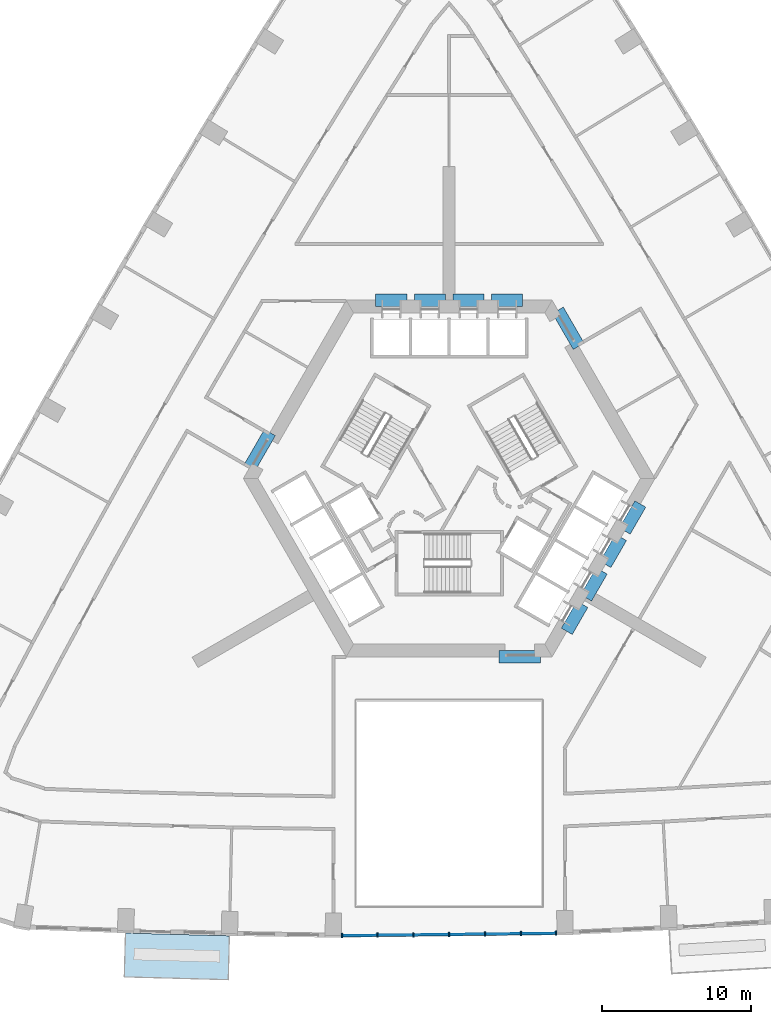
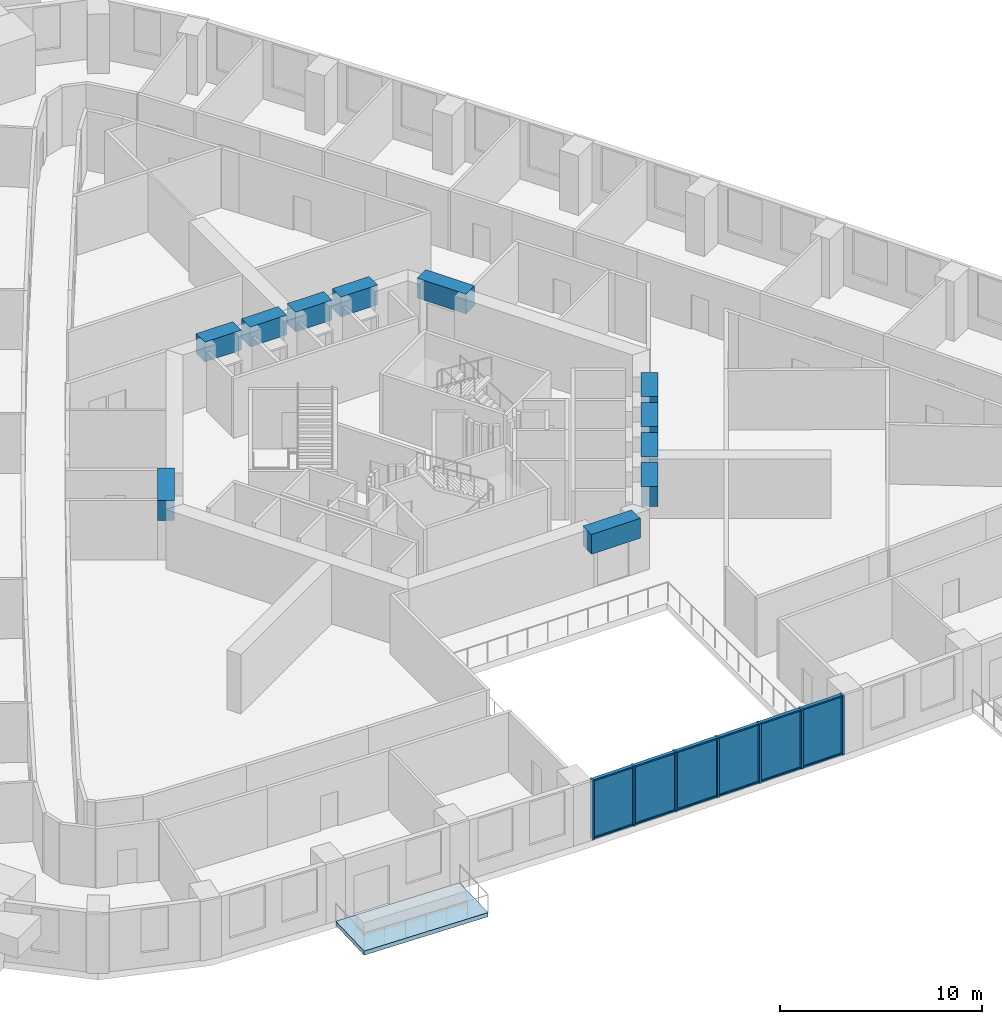
# One storey, part 2 of 15: 19 members, 11 beams, 6 plates, 1 slab, 1 element without a shape of its own.
"""IFC4 building model written with IfcOpenShell, lengths in metres."""

from ifc_helpers import new_model, si_unit, direction, frame, origin, origin_2d, place, context, subcontext, project, spatial, polyline, rectangle, outline, extrude, material, layer, layer_set, material_profile, profile_set, type_object, element, aggregate, save


model = new_model("IFC4")

# Units and contexts
model_context = context("Model", 3, precision=1e-05, world=origin(), true_north=direction((0.0, 1.0)))
body_context = subcontext(model_context, "Body", "Model", "MODEL_VIEW")
ifc_project = project(units=[si_unit("LENGTHUNIT", "METRE"), si_unit("AREAUNIT", "SQUARE_METRE"), si_unit("VOLUMEUNIT", "CUBIC_METRE"), si_unit("PLANEANGLEUNIT", "RADIAN"), si_unit("MASSUNIT", "GRAM", prefix="KILO")], contexts=[model_context])

# Site, building, storey
site_placement = place(None, origin())
site = spatial("IfcSite", under=ifc_project, at=site_placement, CompositionType="ELEMENT")
building_placement = place(site_placement, origin())
building = spatial("IfcBuilding", under=site, at=building_placement, Name="Entoto Arch Interchange Tower", CompositionType="ELEMENT")
storey_placement = place(building_placement, frame((0.0, 0.0, 128.60009765625)))
storey = spatial("IfcBuildingStorey", under=building, at=storey_placement, Name="L28", CompositionType="ELEMENT", Elevation=128.60009765625)

# Beams
ifc_material_1 = material(Name="Concrete C60/75", Category="concrete")
ifc_material_profile_1 = material_profile(ifc_material_1, rectangle(XDim=0.85009765625, YDim=1.199951171875, at=origin_2d()))
ifc_profile_set_1 = profile_set([ifc_material_profile_1], Name="Concrete C60/75")
beam_type = type_object("IfcBeamType", Name="Coupling beam RC 850x1200 C60/75", PredefinedType="BEAM", material=ifc_profile_set_1)
beam_1_placement = place(storey_placement, frame((8.717041015625, 11.402099609375, 3.0), z_axis=(-0.500200581029, 0.865909567298, 0.0), x_axis=(-0.865909567298, -0.500200581029, 0.0)))
element("IfcBeam", 1, at=beam_1_placement, inside=storey, type_object=beam_type, Name="Coupling beam NE L28", PredefinedType="BEAM", context=body_context, shape_type="SweptSolid", body=[
    extrude(rectangle(XDim=0.85009765625, YDim=1.199951171875, at=origin_2d()), origin(), (0.0, 0.0, 1.0), 2.799072265625),
])
beam_2_placement = place(storey_placement, frame((4.949951171875, 14.5, 3.0), z_axis=(-1.0, 0.0, 0.0), x_axis=(0.0, -1.0, 0.0)))
element("IfcBeam", 2, at=beam_2_placement, inside=storey, type_object=beam_type, Name="Coupling beam N L28", PredefinedType="BEAM", context=body_context, shape_type="SweptSolid", body=[
    extrude(rectangle(XDim=0.85009765625, YDim=1.199951171875, at=origin_2d()), origin(), (0.0, 0.0, 1.0), 2.099853515625),
])
for number, where, z_axis, x_axis, name in (
    (3, (2.35009765625, 14.5, 3.0), (-1.0, 0.0, 0.0), (0.0, -1.0, 0.0), "Coupling beam N L28"),
    (4, (-0.25, 14.5, 3.0), (-1.0, 0.0, 0.0), (0.0, -1.0, 0.0), "Coupling beam N L28"),
):
    element("IfcBeam", number, at=place(storey_placement, frame(where, z_axis=z_axis, x_axis=x_axis)), inside=storey, type_object=beam_type, Name=name, PredefinedType="BEAM", context=body_context, shape_type="SweptSolid", body=[
        extrude(rectangle(XDim=0.85009765625, YDim=1.199951171875, at=origin_2d()), origin(), (0.0, 0.0, 1.0), 2.10009765625),
    ])
beam_3_placement = place(storey_placement, frame((-2.85009765625, 14.5, 3.0), z_axis=(-1.0, 0.0, 0.0), x_axis=(0.0, -1.0, 0.0)))
element("IfcBeam", 5, at=beam_3_placement, inside=storey, type_object=beam_type, Name="Coupling beam N L28", PredefinedType="BEAM", context=body_context, shape_type="SweptSolid", body=[
    extrude(rectangle(XDim=0.85009765625, YDim=1.199951171875, at=origin_2d()), origin(), (0.0, 0.0, 1.0), 2.099853515625),
])
beam_4_placement = place(storey_placement, frame((-12.06689453125, 5.597900390625, 3.0), z_axis=(-0.500200581029, -0.865909567298, 0.0), x_axis=(0.865909567298, -0.500200581029, 0.0)))
element("IfcBeam", 6, at=beam_4_placement, inside=storey, type_object=beam_type, Name="Coupling beam NW L28", PredefinedType="BEAM", context=body_context, shape_type="SweptSolid", body=[
    extrude(rectangle(XDim=0.85009765625, YDim=1.199951171875, at=origin_2d()), origin(), (0.0, 0.0, 1.0), 2.799072265625),
])
beam_5_placement = place(storey_placement, frame((3.35009765625, -9.5, 3.0), z_axis=(1.0, 0.0, 0.0), x_axis=(0.0, 1.0, 0.0)))
element("IfcBeam", 7, at=beam_5_placement, inside=storey, type_object=beam_type, Name="Coupling beam S L28", PredefinedType="BEAM", context=body_context, shape_type="SweptSolid", body=[
    extrude(rectangle(XDim=0.85009765625, YDim=1.199951171875, at=origin_2d()), origin(), (0.0, 0.0, 1.0), 2.7998046875),
])
for number, where, z_axis, x_axis, name in (
    (8, (7.9169921875, -7.785888671875, 3.0), (0.500178781653, 0.865922159541, 0.0), (-0.865922159541, 0.500178781653, 0.0), "Coupling beam SE L28"),
    (9, (9.217041015625, -5.534912109375, 3.0), (0.500178781653, 0.865922159541, 0.0), (-0.865922159541, 0.500178781653, 0.0), "Coupling beam SE L28"),
):
    element("IfcBeam", number, at=place(storey_placement, frame(where, z_axis=z_axis, x_axis=x_axis)), inside=storey, type_object=beam_type, Name=name, PredefinedType="BEAM", context=body_context, shape_type="SweptSolid", body=[
        extrude(rectangle(XDim=0.85009765625, YDim=1.199951171875, at=origin_2d()), origin(), (0.0, 0.0, 1.0), 2.099365234375),
    ])
beam_6_placement = place(storey_placement, frame((10.51708984375, -3.282958984375, 3.0), z_axis=(0.500091574638, 0.865972526687, 0.0), x_axis=(-0.865972526687, 0.500091574638, 0.0)))
element("IfcBeam", 10, at=beam_6_placement, inside=storey, type_object=beam_type, Name="Coupling beam SE L28", PredefinedType="BEAM", context=body_context, shape_type="SweptSolid", body=[
    extrude(rectangle(XDim=0.85009765625, YDim=1.199951171875, at=origin_2d()), origin(), (0.0, 0.0, 1.0), 2.09912109375),
])
beam_7_placement = place(storey_placement, frame((11.81689453125, -1.031982421875, 3.0), z_axis=(0.500178781653, 0.865922159541, 0.0), x_axis=(-0.865922159541, 0.500178781653, 0.0)))
element("IfcBeam", 11, at=beam_7_placement, inside=storey, type_object=beam_type, Name="Coupling beam SE L28", PredefinedType="BEAM", context=body_context, shape_type="SweptSolid", body=[
    extrude(rectangle(XDim=0.85009765625, YDim=1.199951171875, at=origin_2d()), origin(), (0.0, 0.0, 1.0), 2.099365234375),
])

# Curtain wall, members
ifc_material_2 = material(Name="Aluminium, anodised", Category="aluminium")
curtain_wall_type = type_object("IfcCurtainWallType", Name="CURTAIN WALL ATRIUM", PredefinedType="NOTDEFINED", material=ifc_material_2)
curtain_wall_placement = place(storey_placement, origin())
curtain_wall = element("IfcCurtainWall", 12, at=curtain_wall_placement, inside=storey, type_object=curtain_wall_type, Name="Atrium glazing S-04 L28", PredefinedType="NOTDEFINED")
ifc_material_profile_2 = material_profile(ifc_material_2, rectangle(XDim=0.300048828125, YDim=0.10009765625, at=origin_2d()))
ifc_profile_set_2 = profile_set([ifc_material_profile_2], Name="Aluminium, anodised")
member_type_1 = type_object("IfcMemberType", Name="MULLION ATRIUM 100x300", PredefinedType="MULLION", material=ifc_profile_set_2)
member_1_placement = place(storey_placement, frame((-7.199951171875, -28.266357421875, 0.0), z_axis=(0.0, 0.0, 1.0), x_axis=(-0.011102763886, 0.999938362417, 0.0)))
member_1 = element("IfcMember", 13, at=member_1_placement, type_object=member_type_1, Name="CWA mullion 1", PredefinedType="MULLION", context=body_context, shape_type="SweptSolid", body=[
    extrude(rectangle(XDim=0.300048828125, YDim=0.10009765625, at=origin_2d()), origin(), (0.0, 0.0, 1.0), 3.599853515625),
])
member_2_placement = place(storey_placement, frame((-4.833251953125, -28.240234375, 0.0), z_axis=(0.0, 0.0, 1.0), x_axis=(-0.011102763886, 0.999938362417, 0.0)))
member_2 = element("IfcMember", 14, at=member_2_placement, type_object=member_type_1, Name="CWA mullion 2", PredefinedType="MULLION", context=body_context, shape_type="SweptSolid", body=[
    extrude(rectangle(XDim=0.300048828125, YDim=0.10009765625, at=origin_2d()), origin(), (0.0, 0.0, 1.0), 3.599853515625),
])
member_3_placement = place(storey_placement, frame((-2.416748046875, -28.21337890625, 0.0), z_axis=(0.0, 0.0, 1.0), x_axis=(-0.011102763886, 0.999938362417, 0.0)))
member_3 = element("IfcMember", 15, at=member_3_placement, type_object=member_type_1, Name="CWA mullion 3", PredefinedType="MULLION", context=body_context, shape_type="SweptSolid", body=[
    extrude(rectangle(XDim=0.300048828125, YDim=0.10009765625, at=origin_2d()), origin(), (0.0, 0.0, 1.0), 3.599853515625),
])
member_4_placement = place(storey_placement, frame((0.0, -28.1865234375, 0.0), z_axis=(0.0, 0.0, 1.0), x_axis=(-0.011102763886, 0.999938362417, 0.0)))
member_4 = element("IfcMember", 16, at=member_4_placement, type_object=member_type_1, Name="CWA mullion 4", PredefinedType="MULLION", context=body_context, shape_type="SweptSolid", body=[
    extrude(rectangle(XDim=0.300048828125, YDim=0.10009765625, at=origin_2d()), origin(), (0.0, 0.0, 1.0), 3.599853515625),
])
member_5_placement = place(storey_placement, frame((2.416748046875, -28.15966796875, 0.0), z_axis=(0.0, 0.0, 1.0), x_axis=(-0.011102763886, 0.999938362417, 0.0)))
member_5 = element("IfcMember", 17, at=member_5_placement, type_object=member_type_1, Name="CWA mullion 5", PredefinedType="MULLION", context=body_context, shape_type="SweptSolid", body=[
    extrude(rectangle(XDim=0.300048828125, YDim=0.10009765625, at=origin_2d()), origin(), (0.0, 0.0, 1.0), 3.599853515625),
])
member_6_placement = place(storey_placement, frame((4.833251953125, -28.1328125, 0.0), z_axis=(0.0, 0.0, 1.0), x_axis=(-0.011102763886, 0.999938362417, 0.0)))
member_6 = element("IfcMember", 18, at=member_6_placement, type_object=member_type_1, Name="CWA mullion 6", PredefinedType="MULLION", context=body_context, shape_type="SweptSolid", body=[
    extrude(rectangle(XDim=0.300048828125, YDim=0.10009765625, at=origin_2d()), origin(), (0.0, 0.0, 1.0), 3.599853515625),
])
member_7_placement = place(storey_placement, frame((7.199951171875, -28.1064453125, 0.0), z_axis=(0.0, 0.0, 1.0), x_axis=(-0.011102763886, 0.999938362417, 0.0)))
member_7 = element("IfcMember", 19, at=member_7_placement, type_object=member_type_1, Name="CWA mullion 7", PredefinedType="MULLION", context=body_context, shape_type="SweptSolid", body=[
    extrude(rectangle(XDim=0.300048828125, YDim=0.10009765625, at=origin_2d()), origin(), (0.0, 0.0, 1.0), 3.599853515625),
])
ifc_material_profile_3 = material_profile(ifc_material_2, rectangle(XDim=0.199951171875, YDim=0.080078125, at=origin_2d()))
ifc_profile_set_3 = profile_set([ifc_material_profile_3], Name="Aluminium, anodised")
member_type_2 = type_object("IfcMemberType", Name="TRANSOM ATRIUM 80x200", PredefinedType="USERDEFINED", material=ifc_profile_set_3)
member_8_placement = place(storey_placement, frame((-7.14990234375, -28.265869140625, 0.039794921875), z_axis=(0.999938463314, 0.011093673171, 0.0), x_axis=(-0.011093673171, 0.999938463314, 0.0)))
member_8 = element("IfcMember", 20, at=member_8_placement, type_object=member_type_2, Name="CWA transom 1.1", ObjectType="TRANSOM", PredefinedType="USERDEFINED", context=body_context, shape_type="SweptSolid", body=[
    extrude(rectangle(XDim=0.199951171875, YDim=0.080078125, at=origin_2d()), origin(), (0.0, 0.0, 1.0), 2.266845703125),
])
member_9_placement = place(storey_placement, frame((-7.14990234375, -28.265869140625, 3.559814453125), z_axis=(0.999938463314, 0.011093673171, 0.0), x_axis=(-0.011093673171, 0.999938463314, 0.0)))
member_9 = element("IfcMember", 21, at=member_9_placement, type_object=member_type_2, Name="CWA transom 1.2", ObjectType="TRANSOM", PredefinedType="USERDEFINED", context=body_context, shape_type="SweptSolid", body=[
    extrude(rectangle(XDim=0.199951171875, YDim=0.080078125, at=origin_2d()), origin(), (0.0, 0.0, 1.0), 2.266845703125),
])
member_10_placement = place(storey_placement, frame((-4.783447265625, -28.239501953125, 0.039794921875), z_axis=(0.999938796493, 0.011063601015, 0.0), x_axis=(-0.011063601015, 0.999938796493, 0.0)))
member_10 = element("IfcMember", 22, at=member_10_placement, type_object=member_type_2, Name="CWA transom 2.1", ObjectType="TRANSOM", PredefinedType="USERDEFINED", context=body_context, shape_type="SweptSolid", body=[
    extrude(rectangle(XDim=0.199951171875, YDim=0.080078125, at=origin_2d()), origin(), (0.0, 0.0, 1.0), 2.317138671875),
])
member_11_placement = place(storey_placement, frame((-4.783447265625, -28.239501953125, 3.559814453125), z_axis=(0.999938796493, 0.011063601015, 0.0), x_axis=(-0.011063601015, 0.999938796493, 0.0)))
member_11 = element("IfcMember", 23, at=member_11_placement, type_object=member_type_2, Name="CWA transom 2.2", ObjectType="TRANSOM", PredefinedType="USERDEFINED", context=body_context, shape_type="SweptSolid", body=[
    extrude(rectangle(XDim=0.199951171875, YDim=0.080078125, at=origin_2d()), origin(), (0.0, 0.0, 1.0), 2.317138671875),
])
member_12_placement = place(storey_placement, frame((-2.36669921875, -28.212890625, 0.039794921875), z_axis=(0.999937612124, 0.011170132457, 0.0), x_axis=(-0.011170132457, 0.999937612124, 0.0)))
member_12 = element("IfcMember", 24, at=member_12_placement, type_object=member_type_2, Name="CWA transom 3.1", ObjectType="TRANSOM", PredefinedType="USERDEFINED", context=body_context, shape_type="SweptSolid", body=[
    extrude(rectangle(XDim=0.199951171875, YDim=0.080078125, at=origin_2d()), origin(), (0.0, 0.0, 1.0), 2.31689453125),
])
member_13_placement = place(storey_placement, frame((-2.36669921875, -28.212890625, 3.559814453125), z_axis=(0.999937612124, 0.011170132457, 0.0), x_axis=(-0.011170132457, 0.999937612124, 0.0)))
member_13 = element("IfcMember", 25, at=member_13_placement, type_object=member_type_2, Name="CWA transom 3.2", ObjectType="TRANSOM", PredefinedType="USERDEFINED", context=body_context, shape_type="SweptSolid", body=[
    extrude(rectangle(XDim=0.199951171875, YDim=0.080078125, at=origin_2d()), origin(), (0.0, 0.0, 1.0), 2.31689453125),
])
member_14_placement = place(storey_placement, frame((0.050048828125, -28.18603515625, 0.039794921875), z_axis=(0.999937612124, 0.011170132457, 0.0), x_axis=(-0.011170132457, 0.999937612124, 0.0)))
member_14 = element("IfcMember", 26, at=member_14_placement, type_object=member_type_2, Name="CWA transom 4.1", ObjectType="TRANSOM", PredefinedType="USERDEFINED", context=body_context, shape_type="SweptSolid", body=[
    extrude(rectangle(XDim=0.199951171875, YDim=0.080078125, at=origin_2d()), origin(), (0.0, 0.0, 1.0), 2.31689453125),
])
member_15_placement = place(storey_placement, frame((0.050048828125, -28.18603515625, 3.559814453125), z_axis=(0.999937612124, 0.011170132457, 0.0), x_axis=(-0.011170132457, 0.999937612124, 0.0)))
member_15 = element("IfcMember", 27, at=member_15_placement, type_object=member_type_2, Name="CWA transom 4.2", ObjectType="TRANSOM", PredefinedType="USERDEFINED", context=body_context, shape_type="SweptSolid", body=[
    extrude(rectangle(XDim=0.199951171875, YDim=0.080078125, at=origin_2d()), origin(), (0.0, 0.0, 1.0), 2.31689453125),
])
member_16_placement = place(storey_placement, frame((2.466552734375, -28.1591796875, 0.039794921875), z_axis=(0.999937625271, 0.011168955562, 0.0), x_axis=(-0.011168955562, 0.999937625271, 0.0)))
member_16 = element("IfcMember", 28, at=member_16_placement, type_object=member_type_2, Name="CWA transom 5.1", ObjectType="TRANSOM", PredefinedType="USERDEFINED", context=body_context, shape_type="SweptSolid", body=[
    extrude(rectangle(XDim=0.199951171875, YDim=0.080078125, at=origin_2d()), origin(), (0.0, 0.0, 1.0), 2.317138671875),
])
member_17_placement = place(storey_placement, frame((2.466552734375, -28.1591796875, 3.559814453125), z_axis=(0.999937625271, 0.011168955562, 0.0), x_axis=(-0.011168955562, 0.999937625271, 0.0)))
member_17 = element("IfcMember", 29, at=member_17_placement, type_object=member_type_2, Name="CWA transom 5.2", ObjectType="TRANSOM", PredefinedType="USERDEFINED", context=body_context, shape_type="SweptSolid", body=[
    extrude(rectangle(XDim=0.199951171875, YDim=0.080078125, at=origin_2d()), origin(), (0.0, 0.0, 1.0), 2.317138671875),
])
member_18_placement = place(storey_placement, frame((4.88330078125, -28.13232421875, 0.039794921875), z_axis=(0.999938463314, 0.011093673171, 0.0), x_axis=(-0.011093673171, 0.999938463314, 0.0)))
member_18 = element("IfcMember", 30, at=member_18_placement, type_object=member_type_2, Name="CWA transom 6.1", ObjectType="TRANSOM", PredefinedType="USERDEFINED", context=body_context, shape_type="SweptSolid", body=[
    extrude(rectangle(XDim=0.199951171875, YDim=0.080078125, at=origin_2d()), origin(), (0.0, 0.0, 1.0), 2.266845703125),
])
member_19_placement = place(storey_placement, frame((4.88330078125, -28.13232421875, 3.559814453125), z_axis=(0.999938463314, 0.011093673171, 0.0), x_axis=(-0.011093673171, 0.999938463314, 0.0)))
member_19 = element("IfcMember", 31, at=member_19_placement, type_object=member_type_2, Name="CWA transom 6.2", ObjectType="TRANSOM", PredefinedType="USERDEFINED", context=body_context, shape_type="SweptSolid", body=[
    extrude(rectangle(XDim=0.199951171875, YDim=0.080078125, at=origin_2d()), origin(), (0.0, 0.0, 1.0), 2.266845703125),
])

# Slab
ifc_material_3 = material(Name="Board-marked precast concrete C50/60", Category="concrete")
ifc_layer_1 = layer(ifc_material_3, 0.25)
ifc_layer_set_1 = layer_set([ifc_layer_1], Name="Board-marked precast concrete C50/60")
slab_type = type_object("IfcSlabType", Name="BALCONY DECK PRECAST 250", PredefinedType="FLOOR", material=ifc_layer_set_1)
slab_placement = place(storey_placement, frame((0.0, 0.0, -0.25)))
element("IfcSlab", 32, at=slab_placement, inside=storey, type_object=slab_type, Name="Planted balcony S-02 L28", PredefinedType="FLOOR", context=body_context, shape_type="SweptSolid", body=[
    extrude(outline(polyline([(-21.7890625, -28.094970703125), (-14.794921875, -28.281982421875), (-14.8740234375, -31.23095703125), (-21.867919921875, -31.0439453125), (-21.7890625, -28.094970703125)])), origin(), (0.0, 0.0, 1.0), 0.25),
])

# Plate
ifc_material_4 = material(Name="Clear glass, low-e double glazed", Category="glass")
ifc_layer_2 = layer(ifc_material_4, 0.031982421875)
ifc_layer_set_2 = layer_set([ifc_layer_2], Name="Clear glass, low-e double glazed")
plate_type = type_object("IfcPlateType", Name="GLAZING PANEL ATRIUM 32", PredefinedType="CURTAIN_PANEL", material=ifc_layer_set_2)
plate_1_placement = place(storey_placement, frame((-6.0166015625, -28.25341796875, 0.079833984375), z_axis=(0.0, 0.0, 1.0), x_axis=(0.999938362417, 0.011102763886, 0.0)))
plate_1 = element("IfcPlate", 33, at=plate_1_placement, type_object=plate_type, Name="CWA panel 1.1", PredefinedType="CURTAIN_PANEL", context=body_context, shape_type="SweptSolid", body=[
    extrude(rectangle(XDim=2.266845703125, YDim=0.031982421875, at=origin_2d()), origin(), (0.0, 0.0, 1.0), 3.43994140625),
])

plate_2_placement = place(storey_placement, frame((-3.625, -28.226806640625, 0.079833984375), z_axis=(0.0, 0.0, 1.0), x_axis=(0.999938362417, 0.011102763886, 0.0)))
plate_2 = element("IfcPlate", 34, at=plate_2_placement, type_object=plate_type, Name="CWA panel 2.1", PredefinedType="CURTAIN_PANEL", context=body_context, shape_type="SweptSolid", body=[
    extrude(rectangle(XDim=2.31689453125, YDim=0.031982421875, at=origin_2d()), origin(), (0.0, 0.0, 1.0), 3.43994140625),
])

plate_3_placement = place(storey_placement, frame((-1.208251953125, -28.199951171875, 0.079833984375), z_axis=(0.0, 0.0, 1.0), x_axis=(0.999938362417, 0.011102763886, 0.0)))
plate_3 = element("IfcPlate", 35, at=plate_3_placement, type_object=plate_type, Name="CWA panel 3.1", PredefinedType="CURTAIN_PANEL", context=body_context, shape_type="SweptSolid", body=[
    extrude(rectangle(XDim=2.31689453125, YDim=0.031982421875, at=origin_2d()), origin(), (0.0, 0.0, 1.0), 3.43994140625),
])

plate_4_placement = place(storey_placement, frame((1.208251953125, -28.173095703125, 0.079833984375), z_axis=(0.0, 0.0, 1.0), x_axis=(0.999938362417, 0.011102763886, 0.0)))
plate_4 = element("IfcPlate", 36, at=plate_4_placement, type_object=plate_type, Name="CWA panel 4.1", PredefinedType="CURTAIN_PANEL", context=body_context, shape_type="SweptSolid", body=[
    extrude(rectangle(XDim=2.31689453125, YDim=0.031982421875, at=origin_2d()), origin(), (0.0, 0.0, 1.0), 3.43994140625),
])

plate_5_placement = place(storey_placement, frame((3.625, -28.146240234375, 0.079833984375), z_axis=(0.0, 0.0, 1.0), x_axis=(0.999938362417, 0.011102763886, 0.0)))
plate_5 = element("IfcPlate", 37, at=plate_5_placement, type_object=plate_type, Name="CWA panel 5.1", PredefinedType="CURTAIN_PANEL", context=body_context, shape_type="SweptSolid", body=[
    extrude(rectangle(XDim=2.31689453125, YDim=0.031982421875, at=origin_2d()), origin(), (0.0, 0.0, 1.0), 3.43994140625),
])

plate_6_placement = place(storey_placement, frame((6.0166015625, -28.11962890625, 0.079833984375), z_axis=(0.0, 0.0, 1.0), x_axis=(0.999938362417, 0.011102763886, 0.0)))
plate_6 = element("IfcPlate", 38, at=plate_6_placement, type_object=plate_type, Name="CWA panel 6.1", PredefinedType="CURTAIN_PANEL", context=body_context, shape_type="SweptSolid", body=[
    extrude(rectangle(XDim=2.266845703125, YDim=0.031982421875, at=origin_2d()), origin(), (0.0, 0.0, 1.0), 3.43994140625),
])

aggregate(curtain_wall, [member_1, member_2, member_3, member_4, member_5, member_6, member_7, member_8, member_9, plate_1, member_10, member_11, plate_2, member_12, member_13, plate_3, member_14, member_15, plate_4, member_16, member_17, plate_5, member_18, member_19, plate_6])

save(model, "model.ifc")
